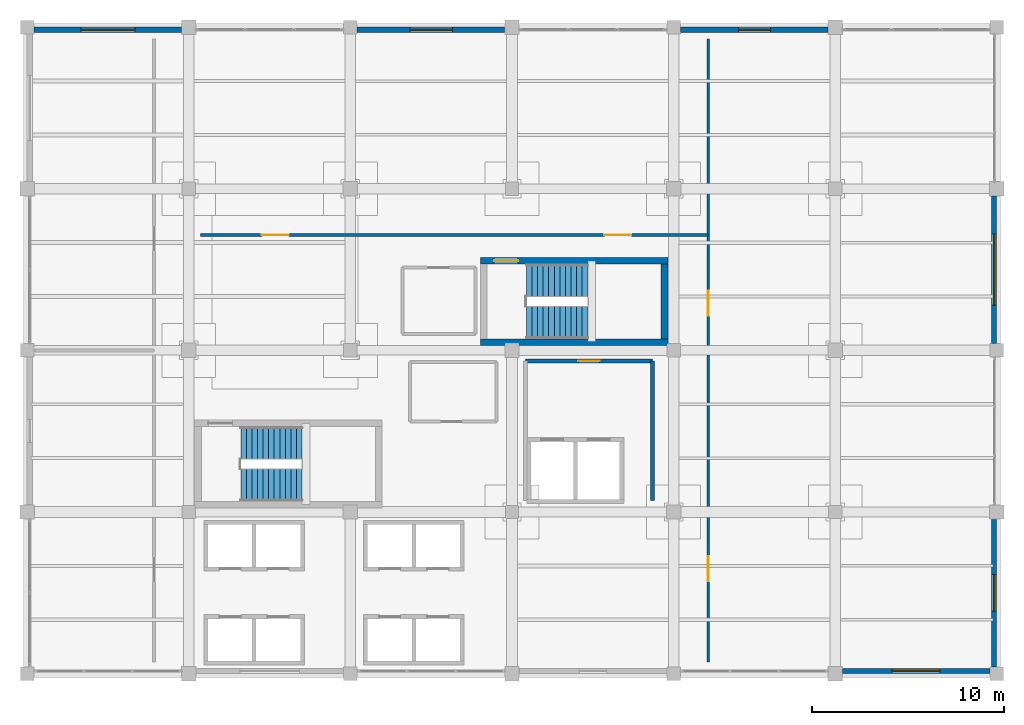
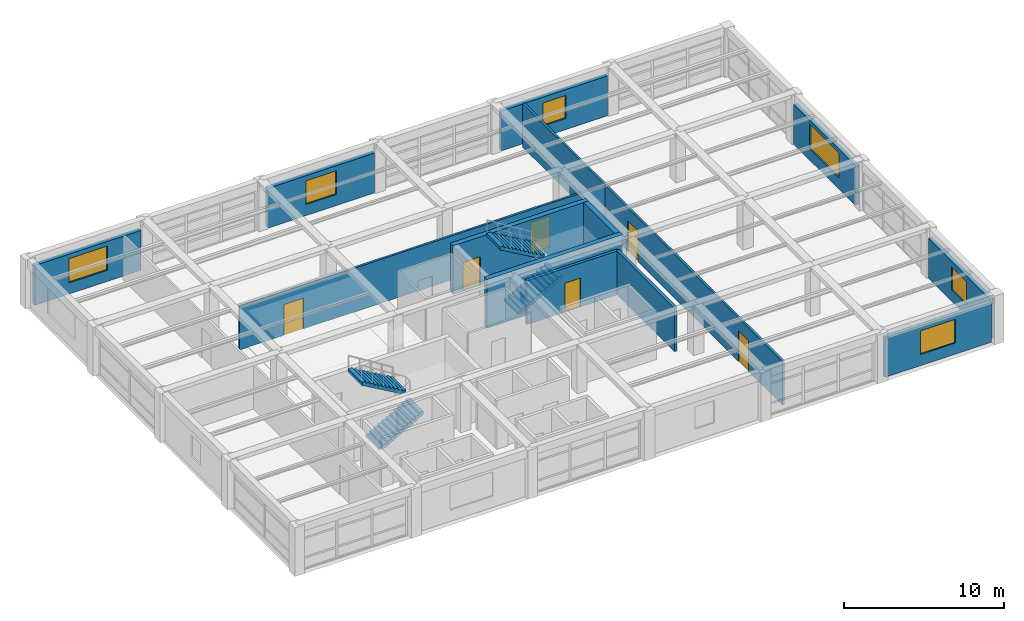
# One storey, part 25 of 26: 13 walls, 6 doors, 6 windows, 4 stair flights, 12 openings, 2 elements without a shape of their own.
"""IFC4 building model written with IfcOpenShell, lengths in metres."""

from ifc_helpers import new_model, si_unit, direction, frame, frame_2d, origin, place, context, subcontext, project, spatial, polyline, rectangle, outline, extrude, material, layer, layer_set, type_object, element, fill, aggregate, save


model = new_model("IFC4")

# Units and contexts
model_context = context("Model", 3, precision=1e-05, world=origin(), true_north=direction((0.0, 1.0)))
body_context = subcontext(model_context, "Body", "Model", "MODEL_VIEW")
ifc_project = project(units=[si_unit("LENGTHUNIT", "METRE"), si_unit("AREAUNIT", "SQUARE_METRE"), si_unit("VOLUMEUNIT", "CUBIC_METRE"), si_unit("PLANEANGLEUNIT", "RADIAN"), si_unit("MASSUNIT", "GRAM", prefix="KILO")], contexts=[model_context])

# Site, building, storey
site_placement = place(None, origin())
site = spatial("IfcSite", under=ifc_project, at=site_placement, CompositionType="ELEMENT")
building_placement = place(site_placement, origin())
building = spatial("IfcBuilding", under=site, at=building_placement, Name="Almacenes y Pasaje Nevantli", CompositionType="ELEMENT")
storey_placement = place(building_placement, frame((0.0, 0.0, 38.699951171875)))
storey = spatial("IfcBuildingStorey", under=building, at=storey_placement, Name="L09", CompositionType="ELEMENT", Elevation=38.699951171875)

# Wall, opening, door
ifc_material_1 = material(Name="Fire-Rated Concrete Blockwork", Category="masonry")
ifc_layer_1 = layer(ifc_material_1, 0.199951171875)
ifc_layer_set_1 = layer_set([ifc_layer_1], Name="Fire-Rated Concrete Blockwork")
wall_type_1 = type_object("IfcWallType", Name="WL-COMP-200", PredefinedType="PARTITIONING", material=ifc_layer_set_1)
wall_1_placement = place(storey_placement, frame((135.10009765625, 83.449951171875, 0.0), z_axis=(0.0, 0.0, 1.0), x_axis=(1.0, 0.0, 0.0)))
wall_1 = element("IfcWall", 1, at=wall_1_placement, inside=storey, type_object=wall_type_1, Name="L09 Interior Partition Wall IW-200 #159", PredefinedType="PARTITIONING", context=body_context, shape_type="SweptSolid", body=[
    extrude(rectangle(XDim=6.599853515625, YDim=0.199951171875, at=frame_2d((3.2998046875, 0.0))), origin(), (0.0, 0.0, 1.0), 3.340087890625),
])
opening_1_placement = place(wall_1_placement, frame((2.75, 0.0, 0.0)))
opening_1 = element("IfcOpeningElement", 2, at=opening_1_placement, cuts=wall_1, Name="Opening ID-L09-088", PredefinedType="OPENING", context=body_context, shape_type="SweptSolid", body=[
    extrude(rectangle(XDim=1.10009765625, YDim=2.199951171875, at=frame_2d((0.550048828125, 1.10009765625))), frame((0.0, 0.10986328125, 0.0), z_axis=(0.0, -1.0, 0.0), x_axis=(1.0, 0.0, 0.0)), (0.0, 0.0, 1.0), 0.219970703125),
])
ifc_material_2 = material(Name="Galvanized Fire-Rated Steel", Category="steel")
door_type_1 = type_object("IfcDoorType", Name="DR-FD90-1100R", OperationType="SINGLE_SWING_RIGHT", PredefinedType="DOOR", material=ifc_material_2)
door_1_placement = place(opening_1_placement, origin())
door_1 = element("IfcDoor", 3, at=door_1_placement, inside=storey, type_object=door_type_1, Name="L09 Firefighting Lobby Door", OperationType="SINGLE_SWING_RIGHT", OverallHeight=2.199951171875, OverallWidth=1.10009765625, PredefinedType="DOOR", context=body_context, shape_type="SweptSolid", body=[
    extrude(rectangle(XDim=1.10009765625, YDim=2.199951171875, at=frame_2d((0.550048828125, 1.10009765625))), frame((0.0, 0.02490234375, 0.0), z_axis=(0.0, -1.0, 0.0), x_axis=(1.0, 0.0, 0.0)), (0.0, 0.0, 1.0), 0.050048828125),
])
fill(opening_1, door_1)

# Walls
wall_2_placement = place(storey_placement, frame((141.699951171875, 76.199951171875, 0.0), z_axis=(0.0, 0.0, 1.0), x_axis=(0.0, 1.0, 0.0)))
element("IfcWall", 4, at=wall_2_placement, inside=storey, type_object=wall_type_1, Name="L09 Interior Partition Wall IW-200 #161", PredefinedType="PARTITIONING", context=body_context, shape_type="SweptSolid", body=[
    extrude(rectangle(XDim=7.25, YDim=0.199951171875, at=frame_2d((3.625, 0.0))), origin(), (0.0, 0.0, 1.0), 3.340087890625),
])
ifc_material_3 = material(Name="Concrete C45/55", Category="concrete")
ifc_layer_2 = layer(ifc_material_3, 0.35009765625)
ifc_layer_set_2 = layer_set([ifc_layer_2], Name="Concrete C45/55")
wall_type_2 = type_object("IfcWallType", Name="WL-CORE-350", PredefinedType="SHEAR", material=ifc_layer_set_2)
wall_3_placement = place(storey_placement, frame((132.75, 84.425048828125, 0.0), z_axis=(0.0, 0.0, 1.0), x_axis=(1.0, 0.0, 0.0)))
element("IfcWall", 5, at=wall_3_placement, inside=storey, type_object=wall_type_2, Name="L09 Exit Stair ST-02 South Core Shear Wall", PredefinedType="SHEAR", context=body_context, shape_type="SweptSolid", body=[
    extrude(rectangle(XDim=9.75, YDim=0.35009765625, at=frame_2d((4.875, 0.0))), origin(), (0.0, 0.0, 1.0), 3.719970703125),
])

# Wall, opening, door
wall_4_placement = place(storey_placement, frame((132.75, 88.6650390625, 0.0), z_axis=(0.0, 0.0, 1.0), x_axis=(1.0, 0.0, 0.0)))
wall_4 = element("IfcWall", 6, at=wall_4_placement, inside=storey, type_object=wall_type_2, Name="L09 Exit Stair ST-02 North Core Shear Wall", PredefinedType="SHEAR", context=body_context, shape_type="SweptSolid", body=[
    extrude(rectangle(XDim=9.75, YDim=0.35009765625, at=frame_2d((4.875, 0.0))), origin(), (0.0, 0.0, 1.0), 3.719970703125),
])
opening_2_placement = place(wall_4_placement, frame((0.719970703125, 0.0, 0.0)))
opening_2 = element("IfcOpeningElement", 7, at=opening_2_placement, cuts=wall_4, Name="Opening SD-02-L09", PredefinedType="OPENING", context=body_context, shape_type="SweptSolid", body=[
    extrude(rectangle(XDim=1.25, YDim=2.199951171875, at=frame_2d((0.625, 1.10009765625))), frame((0.0, 0.18505859375, 0.0), z_axis=(0.0, -1.0, 0.0), x_axis=(1.0, 0.0, 0.0)), (0.0, 0.0, 1.0), 0.3701171875),
])
ifc_material_4 = material(Name="Galvanized Fire-Rated Steel", Category="steel")
door_type_2 = type_object("IfcDoorType", Name="DR-STAIR-1250R", OperationType="SINGLE_SWING_RIGHT", PredefinedType="DOOR", material=ifc_material_4)
door_2_placement = place(opening_2_placement, origin())
door_2 = element("IfcDoor", 8, at=door_2_placement, inside=storey, type_object=door_type_2, Name="L09 Smokeproof Exit Stair ST-02 Fire Door", OperationType="SINGLE_SWING_RIGHT", OverallHeight=2.199951171875, OverallWidth=1.25, PredefinedType="DOOR", context=body_context, shape_type="SweptSolid", body=[
    extrude(rectangle(XDim=1.25, YDim=2.199951171875, at=frame_2d((0.625, 1.10009765625))), frame((0.0, 0.02490234375, 0.0), z_axis=(0.0, -1.0, 0.0), x_axis=(1.0, 0.0, 0.0)), (0.0, 0.0, 1.0), 0.050048828125),
])
fill(opening_2, door_2)

# Wall
wall_5_placement = place(storey_placement, frame((142.324951171875, 84.60009765625, 0.0), z_axis=(0.0, 0.0, 1.0), x_axis=(0.0, 1.0, 0.0)))
element("IfcWall", 9, at=wall_5_placement, inside=storey, type_object=wall_type_2, Name="L09 Exit Stair ST-02 East Core Shear Wall", PredefinedType="SHEAR", context=body_context, shape_type="SweptSolid", body=[
    extrude(rectangle(XDim=3.889892578125, YDim=0.35009765625, at=frame_2d((1.94482421875, 0.0))), origin(), (0.0, 0.0, 1.0), 3.719970703125),
])

# Wall, opening, window
ifc_material_5 = material(Name="Architectural Precast Concrete C35/45 Spandrel Wall", Category="concrete")
ifc_layer_3 = layer(ifc_material_5, 0.280029296875)
ifc_layer_set_3 = layer_set([ifc_layer_3], Name="Architectural Precast Concrete C35/45 Spandrel Wall")
wall_type_3 = type_object("IfcWallType", Name="WL-EXT-CANTERA-280", PredefinedType="SOLIDWALL", material=ifc_layer_set_3)
wall_6_placement = place(storey_placement, frame((109.553955078125, 100.659912109375, 0.0), z_axis=(0.0, 0.0, 1.0), x_axis=(1.0, 0.0, 0.0)))
wall_6 = element("IfcWall", 10, at=wall_6_placement, inside=storey, type_object=wall_type_3, Name="L09 Tower North Polychrome Cantera Wall Bay 14", PredefinedType="SOLIDWALL", context=body_context, shape_type="SweptSolid", body=[
    extrude(rectangle(XDim=7.66796875, YDim=0.280029296875, at=frame_2d((3.833984375, 0.0))), origin(), (0.0, 0.0, 1.0), 3.0400390625),
])
opening_3_placement = place(wall_6_placement, frame((2.446044921875, 0.0, 0.85009765625)))
opening_3 = element("IfcOpeningElement", 11, at=opening_3_placement, cuts=wall_6, Name="Opening WT-29-222", PredefinedType="OPENING", context=body_context, shape_type="SweptSolid", body=[
    extrude(rectangle(XDim=2.800048828125, YDim=1.85009765625, at=frame_2d((1.39990234375, 0.925048828125))), frame((0.0, 0.14990234375, 0.0), z_axis=(0.0, -1.0, 0.0), x_axis=(1.0, 0.0, 0.0)), (0.0, 0.0, 1.0), 0.300048828125),
])
ifc_material_6 = material(Name="Thermally Broken Aluminium and Low-E Double Glazing", Category="aluminium")
window_type_1 = type_object("IfcWindowType", Name="WN-TWR-2800x1850", PartitioningType="SINGLE_PANEL", PredefinedType="WINDOW", material=ifc_material_6)
window_1_placement = place(opening_3_placement, origin())
window_1 = element("IfcWindow", 12, at=window_1_placement, inside=storey, type_object=window_type_1, Name="L09 Exterior Window WT-29 #222", OverallHeight=1.85009765625, OverallWidth=2.800048828125, PartitioningType="SINGLE_PANEL", PredefinedType="WINDOW", context=body_context, shape_type="SweptSolid", body=[
    extrude(rectangle(XDim=2.800048828125, YDim=1.85009765625, at=frame_2d((1.39990234375, 0.925048828125))), frame((0.0, 0.030029296875, 0.0), z_axis=(0.0, -1.0, 0.0), x_axis=(1.0, 0.0, 0.0)), (0.0, 0.0, 1.0), 0.06005859375),
])
fill(opening_3, window_1)

wall_7_placement = place(storey_placement, frame((126.35205078125, 100.659912109375, 0.0), z_axis=(0.0, 0.0, 1.0), x_axis=(1.0, 0.0, 0.0)))
wall_7 = element("IfcWall", 13, at=wall_7_placement, inside=storey, type_object=wall_type_3, Name="L09 Tower North Polychrome Cantera Wall Bay 16", PredefinedType="SOLIDWALL", context=body_context, shape_type="SweptSolid", body=[
    extrude(rectangle(XDim=7.669921875, YDim=0.280029296875, at=frame_2d((3.8349609375, 0.0))), origin(), (0.0, 0.0, 1.0), 3.0400390625),
])
opening_4_placement = place(wall_7_placement, frame((2.748046875, 0.0, 0.85009765625)))
opening_4 = element("IfcOpeningElement", 14, at=opening_4_placement, cuts=wall_7, Name="Opening WT-31-224", PredefinedType="OPENING", context=body_context, shape_type="SweptSolid", body=[
    extrude(rectangle(XDim=2.199951171875, YDim=1.800048828125, at=frame_2d((1.10009765625, 0.89990234375))), frame((0.0, 0.14990234375, 0.0), z_axis=(0.0, -1.0, 0.0), x_axis=(1.0, 0.0, 0.0)), (0.0, 0.0, 1.0), 0.300048828125),
])
ifc_material_7 = material(Name="Thermally Broken Aluminium and Low-E Double Glazing", Category="aluminium")
window_type_2 = type_object("IfcWindowType", Name="WN-TWR-2200x1800", PartitioningType="SINGLE_PANEL", PredefinedType="WINDOW", material=ifc_material_7)
window_2_placement = place(opening_4_placement, origin())
window_2 = element("IfcWindow", 15, at=window_2_placement, inside=storey, type_object=window_type_2, Name="L09 Exterior Window WT-31 #224", OverallHeight=1.800048828125, OverallWidth=2.199951171875, PartitioningType="SINGLE_PANEL", PredefinedType="WINDOW", context=body_context, shape_type="SweptSolid", body=[
    extrude(rectangle(XDim=2.199951171875, YDim=1.800048828125, at=frame_2d((1.10009765625, 0.89990234375))), frame((0.0, 0.030029296875, 0.0), z_axis=(0.0, -1.0, 0.0), x_axis=(1.0, 0.0, 0.0)), (0.0, 0.0, 1.0), 0.06005859375),
])
fill(opening_4, window_2)

wall_8_placement = place(storey_placement, frame((143.154052734375, 100.659912109375, 0.0), z_axis=(0.0, 0.0, 1.0), x_axis=(1.0, 0.0, 0.0)))
wall_8 = element("IfcWall", 16, at=wall_8_placement, inside=storey, type_object=wall_type_3, Name="L09 Tower North Polychrome Cantera Wall Bay 18", PredefinedType="SOLIDWALL", context=body_context, shape_type="SweptSolid", body=[
    extrude(rectangle(XDim=7.66796875, YDim=0.280029296875, at=frame_2d((3.833984375, 0.0))), origin(), (0.0, 0.0, 1.0), 3.0400390625),
])
opening_5_placement = place(wall_8_placement, frame((3.02099609375, 0.0, 0.85009765625)))
opening_5 = element("IfcOpeningElement", 17, at=opening_5_placement, cuts=wall_8, Name="Opening WT-33-226", PredefinedType="OPENING", context=body_context, shape_type="SweptSolid", body=[
    extrude(rectangle(XDim=1.64990234375, YDim=1.75, at=frame_2d((0.824951171875, 0.875))), frame((0.0, 0.14990234375, 0.0), z_axis=(0.0, -1.0, 0.0), x_axis=(1.0, 0.0, 0.0)), (0.0, 0.0, 1.0), 0.300048828125),
])
ifc_material_8 = material(Name="Thermally Broken Aluminium and Low-E Double Glazing", Category="aluminium")
window_type_3 = type_object("IfcWindowType", Name="WN-TWR-1650x1750", PartitioningType="SINGLE_PANEL", PredefinedType="WINDOW", material=ifc_material_8)
window_3_placement = place(opening_5_placement, origin())
window_3 = element("IfcWindow", 18, at=window_3_placement, inside=storey, type_object=window_type_3, Name="L09 Exterior Window WT-33 #226", OverallHeight=1.75, OverallWidth=1.64990234375, PartitioningType="SINGLE_PANEL", PredefinedType="WINDOW", context=body_context, shape_type="SweptSolid", body=[
    extrude(rectangle(XDim=1.64990234375, YDim=1.75, at=frame_2d((0.824951171875, 0.875))), frame((0.0, 0.030029296875, 0.0), z_axis=(0.0, -1.0, 0.0), x_axis=(1.0, 0.0, 0.0)), (0.0, 0.0, 1.0), 0.06005859375),
])
fill(opening_5, window_3)

ifc_material_9 = material(Name="Cream Architectural Precast Concrete C35/45 Wall", Category="concrete")
ifc_layer_4 = layer(ifc_material_9, 0.260009765625)
ifc_layer_set_4 = layer_set([ifc_layer_4], Name="Cream Architectural Precast Concrete C35/45 Wall")
wall_type_4 = type_object("IfcWallType", Name="WL-EXT-PRECAST-260", PredefinedType="SOLIDWALL", material=ifc_layer_set_4)
wall_9_placement = place(storey_placement, frame((151.577880859375, 67.340087890625, 0.0), z_axis=(0.0, 0.0, 1.0), x_axis=(1.0, 0.0, 0.0)))
wall_9 = element("IfcWall", 19, at=wall_9_placement, inside=storey, type_object=wall_type_4, Name="L09 Tower South Precast Spandrel Wall Bay 19", PredefinedType="SOLIDWALL", context=body_context, shape_type="SweptSolid", body=[
    extrude(rectangle(XDim=7.668212890625, YDim=0.260009765625, at=frame_2d((3.833984375, 0.0))), origin(), (0.0, 0.0, 1.0), 3.0400390625),
])
opening_6_placement = place(wall_9_placement, frame((2.572021484375, 0.0, 0.85009765625)))
opening_6 = element("IfcOpeningElement", 20, at=opening_6_placement, cuts=wall_9, Name="Opening WT-30-227", PredefinedType="OPENING", context=body_context, shape_type="SweptSolid", body=[
    extrude(rectangle(XDim=2.5, YDim=1.800048828125, at=frame_2d((1.25, 0.89990234375))), frame((0.0, 0.139892578125, 0.0), z_axis=(0.0, -1.0, 0.0), x_axis=(1.0, 0.0, 0.0)), (0.0, 0.0, 1.0), 0.280029296875),
])
ifc_material_10 = material(Name="Thermally Broken Aluminium and Low-E Double Glazing", Category="aluminium")
window_type_4 = type_object("IfcWindowType", Name="WN-TWR-2500x1800", PartitioningType="SINGLE_PANEL", PredefinedType="WINDOW", material=ifc_material_10)
window_4_placement = place(opening_6_placement, origin())
window_4 = element("IfcWindow", 21, at=window_4_placement, inside=storey, type_object=window_type_4, Name="L09 Exterior Window WT-30 #227", OverallHeight=1.800048828125, OverallWidth=2.5, PartitioningType="SINGLE_PANEL", PredefinedType="WINDOW", context=body_context, shape_type="SweptSolid", body=[
    extrude(rectangle(XDim=2.5, YDim=1.800048828125, at=frame_2d((1.25, 0.89990234375))), frame((0.0, 0.030029296875, 0.0), z_axis=(0.0, -1.0, 0.0), x_axis=(1.0, 0.0, 0.0)), (0.0, 0.0, 1.0), 0.06005859375),
])
fill(opening_6, window_4)

wall_10_placement = place(storey_placement, frame((159.4599609375, 67.553955078125, 0.0), z_axis=(0.0, 0.0, 1.0), x_axis=(0.0, 1.0, 0.0)))
wall_10 = element("IfcWall", 22, at=wall_10_placement, inside=storey, type_object=wall_type_4, Name="L09 Tower East Precast Wall Bay 9", PredefinedType="SOLIDWALL", context=body_context, shape_type="SweptSolid", body=[
    extrude(rectangle(XDim=7.66796875, YDim=0.260009765625, at=frame_2d((3.833984375, 0.0))), origin(), (0.0, 0.0, 1.0), 3.0400390625),
])
opening_7_placement = place(wall_10_placement, frame((2.89599609375, 0.0, 0.85009765625)))
opening_7 = element("IfcOpeningElement", 23, at=opening_7_placement, cuts=wall_10, Name="Opening WT-32-228", PredefinedType="OPENING", context=body_context, shape_type="SweptSolid", body=[
    extrude(rectangle(XDim=1.89990234375, YDim=1.75, at=frame_2d((0.949951171875, 0.875))), frame((0.0, 0.139892578125, 0.0), z_axis=(0.0, -1.0, 0.0), x_axis=(1.0, 0.0, 0.0)), (0.0, 0.0, 1.0), 0.280029296875),
])
ifc_material_11 = material(Name="Thermally Broken Aluminium and Low-E Double Glazing", Category="aluminium")
window_type_5 = type_object("IfcWindowType", Name="WN-TWR-1900x1750", PartitioningType="SINGLE_PANEL", PredefinedType="WINDOW", material=ifc_material_11)
window_5_placement = place(opening_7_placement, origin())
window_5 = element("IfcWindow", 24, at=window_5_placement, inside=storey, type_object=window_type_5, Name="L09 Exterior Window WT-32 #228", OverallHeight=1.75, OverallWidth=1.89990234375, PartitioningType="SINGLE_PANEL", PredefinedType="WINDOW", context=body_context, shape_type="SweptSolid", body=[
    extrude(rectangle(XDim=1.89990234375, YDim=1.75, at=frame_2d((0.949951171875, 0.875))), frame((0.0, 0.030029296875, 0.0), z_axis=(0.0, -1.0, 0.0), x_axis=(1.0, 0.0, 0.0)), (0.0, 0.0, 1.0), 0.06005859375),
])
fill(opening_7, window_5)

wall_11_placement = place(storey_placement, frame((159.4599609375, 84.35205078125, 0.0), z_axis=(0.0, 0.0, 1.0), x_axis=(0.0, 1.0, 0.0)))
wall_11 = element("IfcWall", 25, at=wall_11_placement, inside=storey, type_object=wall_type_4, Name="L09 Tower East Precast Wall Bay 11", PredefinedType="SOLIDWALL", context=body_context, shape_type="SweptSolid", body=[
    extrude(rectangle(XDim=7.669921875, YDim=0.260009765625, at=frame_2d((3.8349609375, 0.0))), origin(), (0.0, 0.0, 1.0), 3.0400390625),
])
opening_8_placement = place(wall_11_placement, frame((1.998046875, 0.0, 0.85009765625)))
opening_8 = element("IfcOpeningElement", 26, at=opening_8_placement, cuts=wall_11, Name="Opening WT-26-230", PredefinedType="OPENING", context=body_context, shape_type="SweptSolid", body=[
    extrude(rectangle(XDim=3.699951171875, YDim=1.89990234375, at=frame_2d((1.85009765625, 0.949951171875))), frame((0.0, 0.139892578125, 0.0), z_axis=(0.0, -1.0, 0.0), x_axis=(1.0, 0.0, 0.0)), (0.0, 0.0, 1.0), 0.280029296875),
])
ifc_material_12 = material(Name="Thermally Broken Aluminium and Low-E Double Glazing", Category="aluminium")
window_type_6 = type_object("IfcWindowType", Name="WN-TWR-3700x1900", PartitioningType="SINGLE_PANEL", PredefinedType="WINDOW", material=ifc_material_12)
window_6_placement = place(opening_8_placement, origin())
window_6 = element("IfcWindow", 27, at=window_6_placement, inside=storey, type_object=window_type_6, Name="L09 Exterior Window WT-26 #230", OverallHeight=1.89990234375, OverallWidth=3.699951171875, PartitioningType="SINGLE_PANEL", PredefinedType="WINDOW", context=body_context, shape_type="SweptSolid", body=[
    extrude(rectangle(XDim=3.699951171875, YDim=1.89990234375, at=frame_2d((1.85009765625, 0.949951171875))), frame((0.0, 0.030029296875, 0.0), z_axis=(0.0, -1.0, 0.0), x_axis=(1.0, 0.0, 0.0)), (0.0, 0.0, 1.0), 0.06005859375),
])
fill(opening_8, window_6)

# Wall, openings, doors
ifc_material_13 = material(Name="Acoustic Steel-Stud Gypsum Partition", Category="steel")
ifc_layer_5 = layer(ifc_material_13, 0.14990234375)
ifc_layer_set_5 = layer_set([ifc_layer_5], Name="Acoustic Steel-Stud Gypsum Partition")
wall_type_5 = type_object("IfcWallType", Name="WL-PART-150", PredefinedType="PARTITIONING", material=ifc_layer_set_5)
wall_12_placement = place(storey_placement, frame((144.60009765625, 67.800048828125, 0.0), z_axis=(0.0, 0.0, 1.0), x_axis=(0.0, 1.0, 0.0)))
wall_12 = element("IfcWall", 28, at=wall_12_placement, inside=storey, type_object=wall_type_5, Name="L09 Interior Partition Wall IW-150 #172", PredefinedType="PARTITIONING", context=body_context, shape_type="SweptSolid", body=[
    extrude(rectangle(XDim=32.39990234375, YDim=0.14990234375, at=frame_2d((16.199951171875, 0.0))), origin(), (0.0, 0.0, 1.0), 3.340087890625),
])
opening_9_placement = place(wall_12_placement, frame((4.199951171875, 0.0, 0.0)))
opening_9 = element("IfcOpeningElement", 29, at=opening_9_placement, cuts=wall_12, Name="Opening ID-L09-093", PredefinedType="OPENING", context=body_context, shape_type="SweptSolid", body=[
    extrude(rectangle(XDim=1.300048828125, YDim=2.35009765625, at=frame_2d((0.64990234375, 1.175048828125))), frame((0.0, 0.0849609375, 0.0), z_axis=(0.0, -1.0, 0.0), x_axis=(1.0, 0.0, 0.0)), (0.0, 0.0, 1.0), 0.169921875),
])
opening_10_placement = place(wall_12_placement, frame((18.0, 0.0, 0.0)))
opening_10 = element("IfcOpeningElement", 30, at=opening_10_placement, cuts=wall_12, Name="Opening ID-L09-094", PredefinedType="OPENING", context=body_context, shape_type="SweptSolid", body=[
    extrude(rectangle(XDim=1.300048828125, YDim=2.35009765625, at=frame_2d((0.64990234375, 1.175048828125))), frame((0.0, 0.0849609375, 0.0), z_axis=(0.0, -1.0, 0.0), x_axis=(1.0, 0.0, 0.0)), (0.0, 0.0, 1.0), 0.169921875),
])
ifc_material_14 = material(Name="Anodized Aluminium and Tempered Acoustic Glass", Category="aluminium")
door_type_3 = type_object("IfcDoorType", Name="DR-ACU-1300", OperationType="SINGLE_SWING_LEFT", PredefinedType="DOOR", material=ifc_material_14)
door_3_placement = place(opening_9_placement, origin())
door_3 = element("IfcDoor", 31, at=door_3_placement, inside=storey, type_object=door_type_3, Name="L09 L09 Engineering Collaboratory South Door", OperationType="SINGLE_SWING_LEFT", OverallHeight=2.35009765625, OverallWidth=1.300048828125, PredefinedType="DOOR", context=body_context, shape_type="SweptSolid", body=[
    extrude(rectangle(XDim=1.300048828125, YDim=2.35009765625, at=frame_2d((0.64990234375, 1.175048828125))), frame((0.0, 0.02490234375, 0.0), z_axis=(0.0, -1.0, 0.0), x_axis=(1.0, 0.0, 0.0)), (0.0, 0.0, 1.0), 0.050048828125),
])
fill(opening_9, door_3)
ifc_material_15 = material(Name="Anodized Aluminium and Tempered Acoustic Glass", Category="aluminium")
door_type_4 = type_object("IfcDoorType", Name="DR-ACU-1300R", OperationType="SINGLE_SWING_RIGHT", PredefinedType="DOOR", material=ifc_material_15)
door_4_placement = place(opening_10_placement, origin())
door_4 = element("IfcDoor", 32, at=door_4_placement, inside=storey, type_object=door_type_4, Name="L09 L09 Engineering Collaboratory North Door", OperationType="SINGLE_SWING_RIGHT", OverallHeight=2.35009765625, OverallWidth=1.300048828125, PredefinedType="DOOR", context=body_context, shape_type="SweptSolid", body=[
    extrude(rectangle(XDim=1.300048828125, YDim=2.35009765625, at=frame_2d((0.64990234375, 1.175048828125))), frame((0.0, 0.02490234375, 0.0), z_axis=(0.0, -1.0, 0.0), x_axis=(1.0, 0.0, 0.0)), (0.0, 0.0, 1.0), 0.050048828125),
])
fill(opening_10, door_4)

wall_13_placement = place(storey_placement, frame((118.199951171875, 90.0, 0.0), z_axis=(0.0, 0.0, 1.0), x_axis=(1.0, 0.0, 0.0)))
wall_13 = element("IfcWall", 33, at=wall_13_placement, inside=storey, type_object=wall_type_5, Name="L09 Interior Partition Wall IW-150 #173", PredefinedType="PARTITIONING", context=body_context, shape_type="SweptSolid", body=[
    extrude(rectangle(XDim=26.400146484375, YDim=0.14990234375, at=frame_2d((13.2001953125, 0.0))), origin(), (0.0, 0.0, 1.0), 3.340087890625),
])
opening_11_placement = place(wall_13_placement, frame((3.199951171875, 0.0, 0.0)))
opening_11 = element("IfcOpeningElement", 34, at=opening_11_placement, cuts=wall_13, Name="Opening ID-L09-095", PredefinedType="OPENING", context=body_context, shape_type="SweptSolid", body=[
    extrude(rectangle(XDim=1.39990234375, YDim=2.35009765625, at=frame_2d((0.699951171875, 1.175048828125))), frame((0.0, 0.0849609375, 0.0), z_axis=(0.0, -1.0, 0.0), x_axis=(1.0, 0.0, 0.0)), (0.0, 0.0, 1.0), 0.169921875),
])
opening_12_placement = place(wall_13_placement, frame((21.0, 0.0, 0.0)))
opening_12 = element("IfcOpeningElement", 35, at=opening_12_placement, cuts=wall_13, Name="Opening ID-L09-096", PredefinedType="OPENING", context=body_context, shape_type="SweptSolid", body=[
    extrude(rectangle(XDim=1.39990234375, YDim=2.35009765625, at=frame_2d((0.699951171875, 1.175048828125))), frame((0.0, 0.0849609375, 0.0), z_axis=(0.0, -1.0, 0.0), x_axis=(1.0, 0.0, 0.0)), (0.0, 0.0, 1.0), 0.169921875),
])
ifc_material_16 = material(Name="Framed Tempered Safety Glass", Category="glass")
door_type_5 = type_object("IfcDoorType", Name="DR-GLZ-1400", OperationType="DOUBLE_DOOR_SINGLE_SWING", PredefinedType="DOOR", material=ifc_material_16)
door_5_placement = place(opening_11_placement, origin())
door_5 = element("IfcDoor", 36, at=door_5_placement, inside=storey, type_object=door_type_5, Name="L09 L09 HQ Workplace West Door", OperationType="DOUBLE_DOOR_SINGLE_SWING", OverallHeight=2.35009765625, OverallWidth=1.39990234375, PredefinedType="DOOR", context=body_context, shape_type="SweptSolid", body=[
    extrude(rectangle(XDim=1.39990234375, YDim=2.35009765625, at=frame_2d((0.699951171875, 1.175048828125))), frame((0.0, 0.02490234375, 0.0), z_axis=(0.0, -1.0, 0.0), x_axis=(1.0, 0.0, 0.0)), (0.0, 0.0, 1.0), 0.050048828125),
])
fill(opening_11, door_5)
door_6_placement = place(opening_12_placement, origin())
door_6 = element("IfcDoor", 37, at=door_6_placement, inside=storey, type_object=door_type_5, Name="L09 L09 HQ Workplace East Door", OperationType="DOUBLE_DOOR_SINGLE_SWING", OverallHeight=2.35009765625, OverallWidth=1.39990234375, PredefinedType="DOOR", context=body_context, shape_type="SweptSolid", body=[
    extrude(rectangle(XDim=1.39990234375, YDim=2.35009765625, at=frame_2d((0.699951171875, 1.175048828125))), frame((0.0, 0.02490234375, 0.0), z_axis=(0.0, -1.0, 0.0), x_axis=(1.0, 0.0, 0.0)), (0.0, 0.0, 1.0), 0.050048828125),
])
fill(opening_12, door_6)

# Stair, stair flights
ifc_material_17 = material(Name="Concrete C35/45", Category="concrete")
stair_type = type_object("IfcStairType", Name="STR-CORE-1720", PredefinedType="HALF_TURN_STAIR", material=ifc_material_17)
stair_1_placement = place(storey_placement, origin())
stair_1 = element("IfcStair", 38, at=stair_1_placement, inside=storey, type_object=stair_type, Name="L09 Staircase ST-01", PredefinedType="HALF_TURN_STAIR")
ifc_material_18 = material(Name="Concrete C35/45", Category="concrete")
ifc_layer_6 = layer(ifc_material_18, 0.199951171875)
ifc_layer_set_6 = layer_set([ifc_layer_6], Name="Concrete C35/45")
stair_flight_type = type_object("IfcStairFlightType", Name="SFL-RC-200", PredefinedType="STRAIGHT", material=ifc_layer_set_6)
stair_flight_1_placement = place(storey_placement, frame((120.300048828125, 77.010009765625, 0.0), z_axis=(0.0, 0.0, 1.0), x_axis=(1.0, 0.0, 0.0)))
stair_flight_1 = element("IfcStairFlight", 39, at=stair_flight_1_placement, type_object=stair_flight_type, Name="ST-01-L09 flight 1", NumberOfRisers=12, NumberOfTreads=11, PredefinedType="STRAIGHT", RiserHeight=0.166667, TreadLength=0.29, context=body_context, shape_type="SweptSolid", body=[
    extrude(outline(polyline([(0.0, 0.0), (0.0, 0.166748046875), (0.2900390625, 0.166748046875), (0.2900390625, 0.333251953125), (0.580078125, 0.333251953125), (0.580078125, 0.5), (0.8701171875, 0.5), (0.8701171875, 0.666748046875), (1.159912109375, 0.666748046875), (1.159912109375, 0.833251953125), (1.449951171875, 0.833251953125), (1.449951171875, 1.0), (1.739990234375, 1.0), (1.739990234375, 1.166748046875), (2.030029296875, 1.166748046875), (2.030029296875, 1.333251953125), (2.320068359375, 1.333251953125), (2.320068359375, 1.5), (2.610107421875, 1.5), (2.610107421875, 1.666748046875), (2.89990234375, 1.666748046875), (2.89990234375, 1.833251953125), (3.18994140625, 1.833251953125), (3.18994140625, 2.0), (3.18994140625, 1.602783203125), (0.4013671875, 0.0), (0.0, 0.0)])), frame((0.0, 0.85986328125, 0.0), z_axis=(0.0, -1.0, 0.0), x_axis=(1.0, 0.0, 0.0)), (0.0, 0.0, 1.0), 1.719970703125),
])
stair_flight_2_placement = place(storey_placement, frame((123.489990234375, 79.179931640625, 2.0), z_axis=(0.0, 0.0, 1.0), x_axis=(-1.0, 0.0, 0.0)))
stair_flight_2 = element("IfcStairFlight", 40, at=stair_flight_2_placement, type_object=stair_flight_type, Name="ST-01-L09 flight 2", NumberOfRisers=12, NumberOfTreads=11, PredefinedType="STRAIGHT", RiserHeight=0.166667, TreadLength=0.29, context=body_context, shape_type="SweptSolid", body=[
    extrude(outline(polyline([(0.0, 0.0), (0.0, 0.166748046875), (0.2900390625, 0.166748046875), (0.2900390625, 0.333251953125), (0.580078125, 0.333251953125), (0.580078125, 0.5), (0.8701171875, 0.5), (0.8701171875, 0.666748046875), (1.159912109375, 0.666748046875), (1.159912109375, 0.833251953125), (1.449951171875, 0.833251953125), (1.449951171875, 1.0), (1.739990234375, 1.0), (1.739990234375, 1.166748046875), (2.030029296875, 1.166748046875), (2.030029296875, 1.333251953125), (2.320068359375, 1.333251953125), (2.320068359375, 1.5), (2.610107421875, 1.5), (2.610107421875, 1.666748046875), (2.89990234375, 1.666748046875), (2.89990234375, 1.833251953125), (3.18994140625, 1.833251953125), (3.18994140625, 2.0), (3.18994140625, 1.602783203125), (0.4013671875, 0.0), (0.0, 0.0)])), frame((0.0, 0.85986328125, 0.0), z_axis=(0.0, -1.0, 0.0), x_axis=(1.0, 0.0, 0.0)), (0.0, 0.0, 1.0), 1.719970703125),
])
aggregate(stair_1, [stair_flight_1, stair_flight_2])

stair_2_placement = place(storey_placement, origin())
stair_2 = element("IfcStair", 41, at=stair_2_placement, inside=storey, type_object=stair_type, Name="L09 Staircase ST-02", PredefinedType="HALF_TURN_STAIR")
stair_flight_3_placement = place(storey_placement, frame((135.14990234375, 85.4599609375, 0.0), z_axis=(0.0, 0.0, 1.0), x_axis=(1.0, 0.0, 0.0)))
stair_flight_3 = element("IfcStairFlight", 42, at=stair_flight_3_placement, type_object=stair_flight_type, Name="ST-02-L09 flight 1", NumberOfRisers=12, NumberOfTreads=11, PredefinedType="STRAIGHT", RiserHeight=0.166667, TreadLength=0.29, context=body_context, shape_type="SweptSolid", body=[
    extrude(outline(polyline([(0.0, 0.0), (0.0, 0.166748046875), (0.2900390625, 0.166748046875), (0.2900390625, 0.333251953125), (0.580078125, 0.333251953125), (0.580078125, 0.5), (0.8701171875, 0.5), (0.8701171875, 0.666748046875), (1.159912109375, 0.666748046875), (1.159912109375, 0.833251953125), (1.449951171875, 0.833251953125), (1.449951171875, 1.0), (1.739990234375, 1.0), (1.739990234375, 1.166748046875), (2.030029296875, 1.166748046875), (2.030029296875, 1.333251953125), (2.320068359375, 1.333251953125), (2.320068359375, 1.5), (2.610107421875, 1.5), (2.610107421875, 1.666748046875), (2.89990234375, 1.666748046875), (2.89990234375, 1.833251953125), (3.18994140625, 1.833251953125), (3.18994140625, 2.0), (3.18994140625, 1.602783203125), (0.4013671875, 0.0), (0.0, 0.0)])), frame((0.0, 0.85986328125, 0.0), z_axis=(0.0, -1.0, 0.0), x_axis=(1.0, 0.0, 0.0)), (0.0, 0.0, 1.0), 1.719970703125),
])
stair_flight_4_placement = place(storey_placement, frame((138.340087890625, 87.6298828125, 2.0), z_axis=(0.0, 0.0, 1.0), x_axis=(-1.0, 0.0, 0.0)))
stair_flight_4 = element("IfcStairFlight", 43, at=stair_flight_4_placement, type_object=stair_flight_type, Name="ST-02-L09 flight 2", NumberOfRisers=12, NumberOfTreads=11, PredefinedType="STRAIGHT", RiserHeight=0.166667, TreadLength=0.29, context=body_context, shape_type="SweptSolid", body=[
    extrude(outline(polyline([(0.0, 0.0), (0.0, 0.166748046875), (0.2900390625, 0.166748046875), (0.2900390625, 0.333251953125), (0.580078125, 0.333251953125), (0.580078125, 0.5), (0.8701171875, 0.5), (0.8701171875, 0.666748046875), (1.159912109375, 0.666748046875), (1.159912109375, 0.833251953125), (1.449951171875, 0.833251953125), (1.449951171875, 1.0), (1.739990234375, 1.0), (1.739990234375, 1.166748046875), (2.030029296875, 1.166748046875), (2.030029296875, 1.333251953125), (2.320068359375, 1.333251953125), (2.320068359375, 1.5), (2.610107421875, 1.5), (2.610107421875, 1.666748046875), (2.89990234375, 1.666748046875), (2.89990234375, 1.833251953125), (3.18994140625, 1.833251953125), (3.18994140625, 2.0), (3.18994140625, 1.602783203125), (0.4013671875, 0.0), (0.0, 0.0)])), frame((0.0, 0.85986328125, 0.0), z_axis=(0.0, -1.0, 0.0), x_axis=(1.0, 0.0, 0.0)), (0.0, 0.0, 1.0), 1.719970703125),
])
aggregate(stair_2, [stair_flight_3, stair_flight_4])

save(model, "model.ifc")
